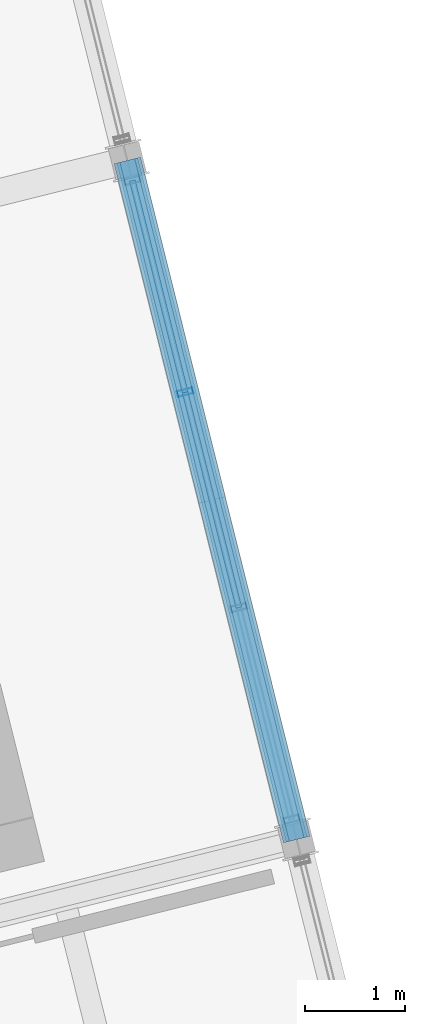
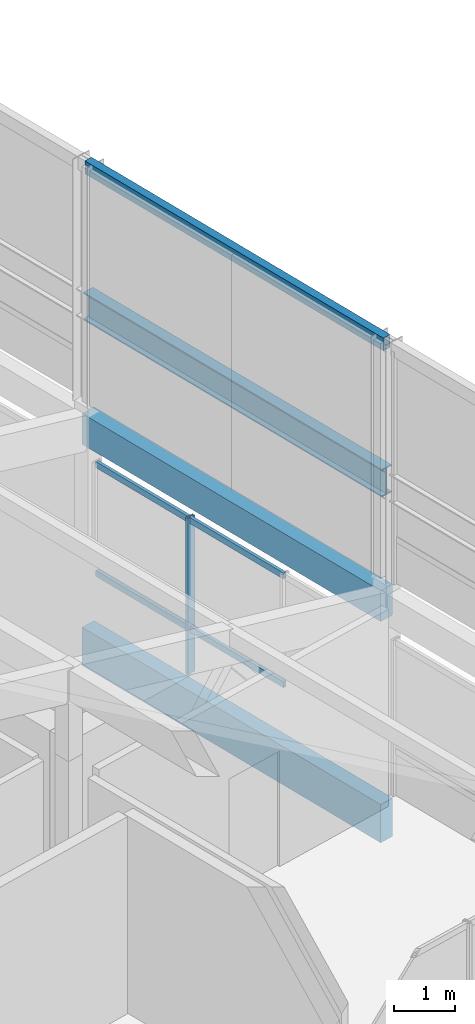
# One storey, part 25 of 31: 5 members, 4 beams, 1 element without a shape of its own.
"""IFC4 building model written with IfcOpenShell, lengths in metres."""

from ifc_helpers import new_model, si_unit, direction, frame, origin, origin_2d, place, context, subcontext, project, spatial, rectangle, hollow_rectangle, i_section, extrude, material, layer, layer_set, material_profile, profile_set, type_object, element, aggregate, save


model = new_model("IFC4")

# Units and contexts
model_context = context("Model", 3, precision=1e-05, world=origin(), true_north=direction((0.0, 1.0)))
body_context = subcontext(model_context, "Body", "Model", "MODEL_VIEW")
ifc_project = project(units=[si_unit("LENGTHUNIT", "METRE"), si_unit("AREAUNIT", "SQUARE_METRE"), si_unit("VOLUMEUNIT", "CUBIC_METRE"), si_unit("PLANEANGLEUNIT", "RADIAN"), si_unit("MASSUNIT", "GRAM", prefix="KILO")], contexts=[model_context])

# Site, building, storey
site_placement = place(None, origin())
site = spatial("IfcSite", under=ifc_project, at=site_placement, CompositionType="ELEMENT")
building_placement = place(site_placement, origin())
building = spatial("IfcBuilding", under=site, at=building_placement, Name="Meriwether Solvik Hall", CompositionType="ELEMENT")
storey_placement = place(building_placement, frame((0.0, 0.0, 61.199951171875)))
storey = spatial("IfcBuildingStorey", under=building, at=storey_placement, Name="L15", CompositionType="ELEMENT", Elevation=61.199951171875)

# Beams
ifc_material_1 = material(Name="Glulam Douglas-Fir 24F-V8 GL28h", Category="wood")
ifc_material_profile_1 = material_profile(ifc_material_1, rectangle(XDim=0.27294921875, YDim=0.610107421875, at=origin_2d()), Name="GLB-273X610")
ifc_profile_set_1 = profile_set([ifc_material_profile_1], Name="Glulam Douglas-Fir 24F-V8 GL28h")
beam_type_1 = type_object("IfcBeamType", Name="BM-GL-273X610", PredefinedType="SPANDREL", material=ifc_profile_set_1)
beam_1_placement = place(storey_placement, frame((95.28759765625, 54.862060546875, 3.698974609375), z_axis=(-0.241936527961, 0.970292077901, 0.0), x_axis=(-0.970292077901, -0.241936527961, 0.0)))
element("IfcBeam", 1, at=beam_1_placement, inside=storey, type_object=beam_type_1, Name="Roof Tie Beam T5:TB-TC", PredefinedType="SPANDREL", context=body_context, shape_type="SweptSolid", body=[
    extrude(rectangle(XDim=0.27294921875, YDim=0.610107421875, at=origin_2d()), origin(), (0.0, 0.0, 1.0), 7.000244140625),
])
ifc_material_2 = material(Name="Glulam Douglas-Fir 24F-V8 GL28h", Category="wood")
ifc_material_profile_2 = material_profile(ifc_material_2, rectangle(XDim=0.27294921875, YDim=0.760009765625, at=origin_2d()), Name="GLB-273X760")
ifc_profile_set_2 = profile_set([ifc_material_profile_2], Name="Glulam Douglas-Fir 24F-V8 GL28h")
beam_type_2 = type_object("IfcBeamType", Name="BM-GL-273X760", PredefinedType="BEAM", material=ifc_profile_set_2)
beam_2_placement = place(storey_placement, frame((95.28759765625, 54.862060546875, -0.625), z_axis=(-0.241936527961, 0.970292077901, 0.0), x_axis=(-0.970292077901, -0.241936527961, 0.0)))
element("IfcBeam", 2, at=beam_2_placement, inside=storey, type_object=beam_type_2, Name="Tower Girder T5:TB-TC (L15)", PredefinedType="BEAM", context=body_context, shape_type="SweptSolid", body=[
    extrude(rectangle(XDim=0.27294921875, YDim=0.760009765625, at=origin_2d()), origin(), (0.0, 0.0, 1.0), 7.000244140625),
])
ifc_material_3 = material(Name="Steel A500 Grade C", Category="steel")
ifc_material_profile_3 = material_profile(ifc_material_3, hollow_rectangle(XDim=0.152099609375, YDim=0.25390625, WallThickness=0.009521484375, at=origin_2d()), Name="HSS254X152X9.5")
ifc_profile_set_3 = profile_set([ifc_material_profile_3], Name="Steel A500 Grade C")
beam_type_3 = type_object("IfcBeamType", Name="BM-STL-HSS254", PredefinedType="SPANDREL", material=ifc_profile_set_3)
beam_3_placement = place(storey_placement, frame((95.28759765625, 54.862060546875, 8.873046875), z_axis=(-0.241936527961, 0.970292077901, 0.0), x_axis=(-0.970292077901, -0.241936527961, 0.0)))
element("IfcBeam", 3, at=beam_3_placement, inside=storey, type_object=beam_type_3, Name="Crown Cap Ring Beam T5TB-T5TC", PredefinedType="SPANDREL", context=body_context, shape_type="SweptSolid", body=[
    extrude(hollow_rectangle(XDim=0.152099609375, YDim=0.25390625, WallThickness=0.009521484375, at=origin_2d()), origin(), (0.0, 0.0, 1.0), 7.000244140625),
])
ifc_material_4 = material(Name="Steel A992 Grade 50", Category="steel")
ifc_material_profile_4 = material_profile(ifc_material_4, i_section(OverallWidth=0.214111328125, OverallDepth=0.549072265625, WebThickness=0.0146484375, FlangeThickness=0.023681640625, at=origin_2d()), Name="W21X93")
ifc_profile_set_4 = profile_set([ifc_material_profile_4], Name="Steel A992 Grade 50")
beam_type_4 = type_object("IfcBeamType", Name="BM-STL-W21X93", PredefinedType="SPANDREL", material=ifc_profile_set_4)
beam_4_placement = place(storey_placement, frame((95.28759765625, 54.862060546875, 6.12548828125), z_axis=(-0.241936527961, 0.970292077901, 0.0), x_axis=(-0.970292077901, -0.241936527961, 0.0)))
element("IfcBeam", 4, at=beam_4_placement, inside=storey, type_object=beam_type_4, Name="Crown Wind Girt Beam T5TB-T5TC", PredefinedType="SPANDREL", context=body_context, shape_type="SweptSolid", body=[
    extrude(i_section(OverallWidth=0.214111328125, OverallDepth=0.549072265625, WebThickness=0.0146484375, FlangeThickness=0.023681640625, at=origin_2d()), origin(), (0.0, 0.0, 1.0), 7.000244140625),
])

# Curtain wall, members
ifc_material_5 = material(Name="Thermally Broken Anodised Aluminium 6063-T6 and Low-E Glass", Category="aluminium")
ifc_layer = layer(ifc_material_5, 0.179931640625)
ifc_layer_set = layer_set([ifc_layer], Name="Thermally Broken Anodised Aluminium 6063-T6 and Low-E Glass")
curtain_wall_type = type_object("IfcCurtainWallType", Name="CW-UNIT-A", PredefinedType="USERDEFINED", material=ifc_layer_set)
curtain_wall_placement = place(storey_placement, origin())
curtain_wall = element("IfcCurtainWall", 5, at=curtain_wall_placement, inside=storey, type_object=curtain_wall_type, Name="Curtain Wall E1_B1 (L15)", ObjectType="UNITISED CURTAIN WALL", PredefinedType="USERDEFINED")
ifc_material_6 = material(Name="Anodised Aluminium 6063-T6", Category="aluminium")
ifc_material_profile_5 = material_profile(ifc_material_6, hollow_rectangle(XDim=0.06005859375, YDim=0.159912109375, WallThickness=0.00390625, at=origin_2d()), Name="CWM-60X160")
ifc_profile_set_5 = profile_set([ifc_material_profile_5], Name="Anodised Aluminium 6063-T6")
member_type_1 = type_object("IfcMemberType", Name="CW-MUL-60X160", PredefinedType="MULLION", material=ifc_profile_set_5)
member_1_placement = place(storey_placement, frame((94.17236328125, 59.33544921875, 0.0), z_axis=(0.0, 0.0, 1.0), x_axis=(0.241921925524, -0.970295718815, 0.0)))
member_1 = element("IfcMember", 6, at=member_1_placement, type_object=member_type_1, Name="Curtain Wall Mullion 2", PredefinedType="MULLION", context=body_context, shape_type="SweptSolid", body=[
    extrude(hollow_rectangle(XDim=0.06005859375, YDim=0.159912109375, WallThickness=0.00390625, at=origin_2d()), origin(), (0.0, 0.0, 1.0), 3.10205078125),
])
ifc_material_7 = material(Name="Anodised Aluminium 6063-T6", Category="aluminium")
ifc_material_profile_6 = material_profile(ifc_material_7, hollow_rectangle(XDim=0.06005859375, YDim=0.1201171875, WallThickness=0.00390625, at=origin_2d()), Name="CWT-60X120")
ifc_profile_set_6 = profile_set([ifc_material_profile_6], Name="Anodised Aluminium 6063-T6")
member_type_2 = type_object("IfcMemberType", Name="CW-TRN-60X120", PredefinedType="USERDEFINED", material=ifc_profile_set_6)
member_2_placement = place(storey_placement, frame((93.644287109375, 61.452880859375, 0.880126953125), z_axis=(0.241982798004, -0.970280539571, 0.0), x_axis=(0.970280539571, 0.241982798004, 0.0)))
member_2 = element("IfcMember", 7, at=member_2_placement, type_object=member_type_2, Name="Curtain Wall Transom 1-sill", ObjectType="TRANSOM", PredefinedType="USERDEFINED", context=body_context, shape_type="SweptSolid", body=[
    extrude(hollow_rectangle(XDim=0.06005859375, YDim=0.1201171875, WallThickness=0.00390625, at=origin_2d()), origin(), (0.0, 0.0, 1.0), 2.182373046875),
])
member_3_placement = place(storey_placement, frame((93.644287109375, 61.452880859375, 3.0419921875), z_axis=(0.241982798004, -0.970280539571, 0.0), x_axis=(0.970280539571, 0.241982798004, 0.0)))
member_3 = element("IfcMember", 8, at=member_3_placement, type_object=member_type_2, Name="Curtain Wall Transom 1-head", ObjectType="TRANSOM", PredefinedType="USERDEFINED", context=body_context, shape_type="SweptSolid", body=[
    extrude(hollow_rectangle(XDim=0.06005859375, YDim=0.1201171875, WallThickness=0.00390625, at=origin_2d()), origin(), (0.0, 0.0, 1.0), 2.182373046875),
])
member_4_placement = place(storey_placement, frame((94.17236328125, 59.33544921875, 0.880126953125), z_axis=(0.241888809617, -0.970303974939, 0.0), x_axis=(0.970303974939, 0.241888809617, 0.0)))
member_4 = element("IfcMember", 9, at=member_4_placement, type_object=member_type_2, Name="Curtain Wall Transom 2-sill", ObjectType="TRANSOM", PredefinedType="USERDEFINED", context=body_context, shape_type="SweptSolid", body=[
    extrude(hollow_rectangle(XDim=0.06005859375, YDim=0.1201171875, WallThickness=0.00390625, at=origin_2d()), origin(), (0.0, 0.0, 1.0), 2.220458984375),
])
member_5_placement = place(storey_placement, frame((94.17236328125, 59.33544921875, 3.0419921875), z_axis=(0.241888809617, -0.970303974939, 0.0), x_axis=(0.970303974939, 0.241888809617, 0.0)))
member_5 = element("IfcMember", 10, at=member_5_placement, type_object=member_type_2, Name="Curtain Wall Transom 2-head", ObjectType="TRANSOM", PredefinedType="USERDEFINED", context=body_context, shape_type="SweptSolid", body=[
    extrude(hollow_rectangle(XDim=0.06005859375, YDim=0.1201171875, WallThickness=0.00390625, at=origin_2d()), origin(), (0.0, 0.0, 1.0), 2.220458984375),
])
aggregate(curtain_wall, [member_1, member_2, member_3, member_4, member_5])

save(model, "model.ifc")
